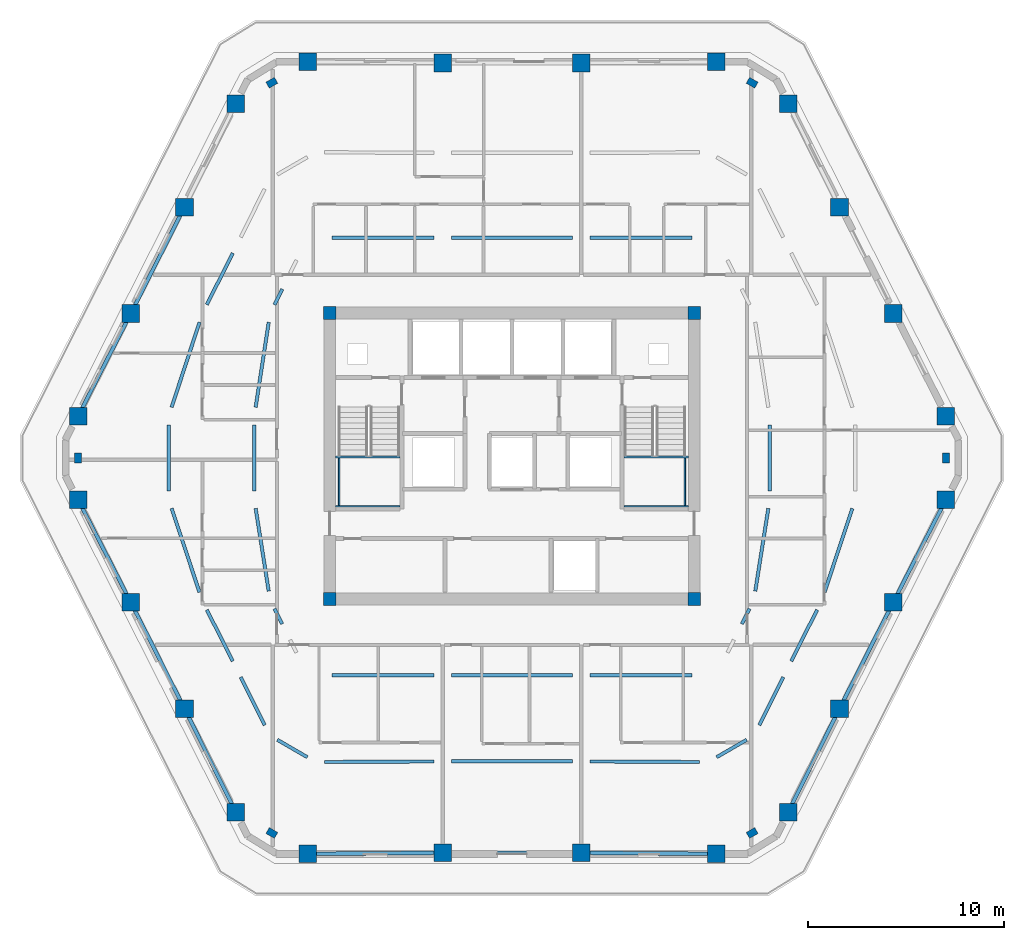
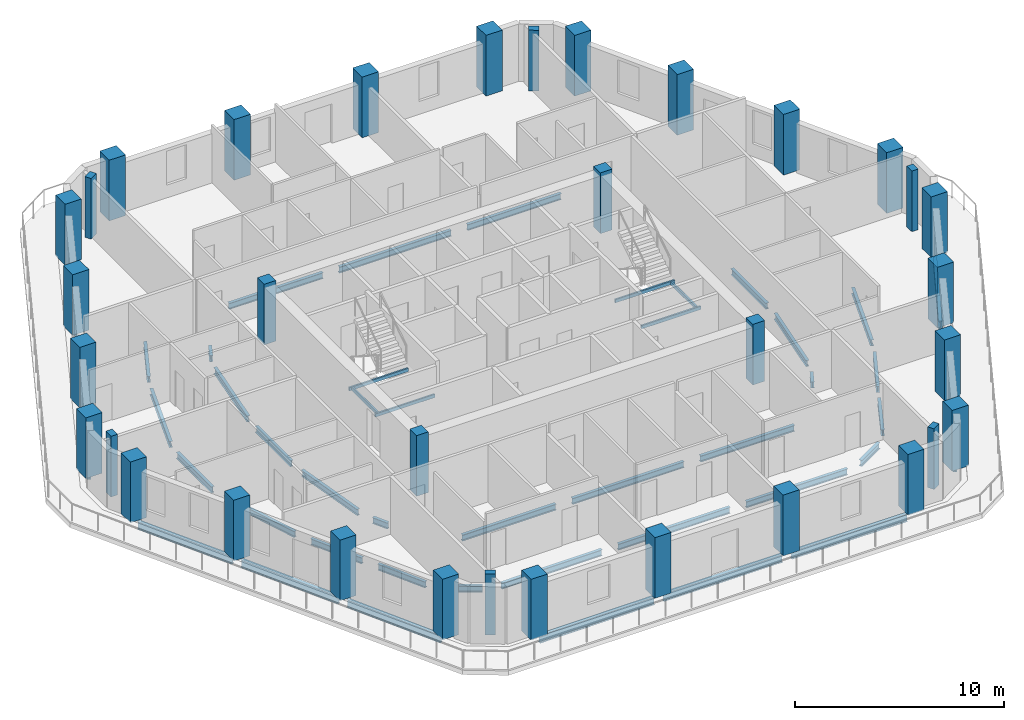
# One storey, part 1 of 10: 45 beams, 34 columns.
"""IFC4 building model written with IfcOpenShell, lengths in metres."""

from ifc_helpers import new_model, si_unit, direction, frame, origin, origin_2d, place, context, subcontext, project, spatial, rectangle, hollow_rectangle, i_section, extrude, material, material_profile, profile_set, type_object, element, save


model = new_model("IFC4")

# Units and contexts
model_context = context("Model", 3, precision=1e-05, world=origin(), true_north=direction((0.0, 1.0)))
body_context = subcontext(model_context, "Body", "Model", "MODEL_VIEW")
ifc_project = project(units=[si_unit("LENGTHUNIT", "METRE"), si_unit("AREAUNIT", "SQUARE_METRE"), si_unit("VOLUMEUNIT", "CUBIC_METRE"), si_unit("PLANEANGLEUNIT", "RADIAN"), si_unit("MASSUNIT", "GRAM", prefix="KILO")], contexts=[model_context])

# Site, building, storey
site_placement = place(None, origin())
site = spatial("IfcSite", under=ifc_project, at=site_placement, CompositionType="ELEMENT")
building_placement = place(site_placement, origin())
building = spatial("IfcBuilding", under=site, at=building_placement, Name="Cinnabar Lancet Tower", CompositionType="ELEMENT")
storey_placement = place(building_placement, frame((0.0, 0.0, 171.89990234375)))
storey = spatial("IfcBuildingStorey", under=building, at=storey_placement, Name="L45", CompositionType="ELEMENT", Elevation=171.89990234375)

# Columns
ifc_material_1 = material(Name="Concrete C60/75", Category="concrete")
ifc_material_profile_1 = material_profile(ifc_material_1, rectangle(XDim=0.64990234375, YDim=0.64990234375, at=origin_2d()), Name="RC-COL 650x650")
ifc_profile_set_1 = profile_set([ifc_material_profile_1], Name="Concrete C60/75")
column_type_1 = type_object("IfcColumnType", Name="STR-COL-CORE-650", PredefinedType="COLUMN", material=ifc_profile_set_1)
for number, where, z_axis, x_axis, name in (
    (1, (23.10009765625, 18.60009765625, 0.0), (0.0, 0.0, 1.0), (1.0, 0.0, 0.0), "L45 Core Corner Column SW"),
    (2, (41.699951171875, 18.60009765625, 0.0), (0.0, 0.0, 1.0), (1.0, 0.0, 0.0), "L45 Core Corner Column SE"),
    (3, (41.699951171875, 33.199951171875, 0.0), (0.0, 0.0, 1.0), (1.0, 0.0, 0.0), "L45 Core Corner Column NE"),
    (4, (23.10009765625, 33.199951171875, 0.0), (0.0, 0.0, 1.0), (1.0, 0.0, 0.0), "L45 Core Corner Column NW"),
):
    element("IfcColumn", number, at=place(storey_placement, frame(where, z_axis=z_axis, x_axis=x_axis)), inside=storey, type_object=column_type_1, Name=name, PredefinedType="COLUMN", context=body_context, shape_type="SweptSolid", body=[
        extrude(rectangle(XDim=0.64990234375, YDim=0.64990234375, at=origin_2d()), origin(), (0.0, 0.0, 1.0), 3.550048828125),
    ])
ifc_material_2 = material(Name="Concrete C60/75", Category="concrete")
ifc_material_profile_2 = material_profile(ifc_material_2, rectangle(XDim=0.5, YDim=0.35009765625, at=origin_2d()), Name="RC-PIL 500x350")
ifc_profile_set_2 = profile_set([ifc_material_profile_2], Name="Concrete C60/75")
column_type_2 = type_object("IfcColumnType", Name="STR-COL-PIL-500", PredefinedType="PILASTER", material=ifc_profile_set_2)
for number, where, z_axis, x_axis, name in (
    (5, (20.14208984375, 6.654052734375, 0.0), (0.0, 0.0, 1.0), (0.865230187018, -0.501374833306, 0.0), "L45 Chamfered Corner Pilaster 1"),
    (6, (44.657958984375, 6.654052734375, 0.0), (0.0, 0.0, 1.0), (0.865230187018, 0.501374833306, 0.0), "L45 Chamfered Corner Pilaster 2"),
    (7, (54.547119140625, 25.800048828125, 0.0), (0.0, 0.0, 1.0), (0.0, 1.0, 0.0), "L45 Chamfered Corner Pilaster 3"),
    (8, (44.657958984375, 44.947021484375, 0.0), (0.0, 0.0, 1.0), (-0.865230187018, 0.501374833306, 0.0), "L45 Chamfered Corner Pilaster 4"),
    (9, (20.14208984375, 44.947021484375, 0.0), (0.0, 0.0, 1.0), (-0.865230187018, -0.501374833306, 0.0), "L45 Chamfered Corner Pilaster 5"),
    (10, (10.2529296875, 25.800048828125, 0.0), (0.0, 0.0, 1.0), (0.0, -1.0, 0.0), "L45 Chamfered Corner Pilaster 6"),
):
    element("IfcColumn", number, at=place(storey_placement, frame(where, z_axis=z_axis, x_axis=x_axis)), inside=storey, type_object=column_type_2, Name=name, PredefinedType="PILASTER", context=body_context, shape_type="SweptSolid", body=[
        extrude(rectangle(XDim=0.5, YDim=0.35009765625, at=origin_2d()), origin(), (0.0, 0.0, 1.0), 3.550048828125),
    ])
ifc_material_3 = material(Name="Concrete C60/75", Category="concrete")
ifc_material_profile_3 = material_profile(ifc_material_3, rectangle(XDim=0.89990234375, YDim=0.89990234375, at=origin_2d()), Name="RC-COL 900x900")
ifc_profile_set_3 = profile_set([ifc_material_profile_3], Name="Concrete C60/75")
column_type_3 = type_object("IfcColumnType", Name="STR-COL-TUBE-900", PredefinedType="COLUMN", material=ifc_profile_set_3)
for number, where, z_axis, x_axis, name in (
    (11, (21.97900390625, 5.589111328125, 0.0), (0.0, 0.0, 1.0), (1.0, 0.0, 0.0), "L45 Perimeter Tube Column 1"),
    (12, (28.85693359375, 5.64208984375, 0.0), (0.0, 0.0, 1.0), (1.0, 0.0, 0.0), "L45 Perimeter Tube Column 2"),
    (13, (35.943115234375, 5.64208984375, 0.0), (0.0, 0.0, 1.0), (1.0, 0.0, 0.0), "L45 Perimeter Tube Column 3"),
    (14, (42.821044921875, 5.589111328125, 0.0), (0.0, 0.0, 1.0), (1.0, 0.0, 0.0), "L45 Perimeter Tube Column 4"),
    (15, (46.4951171875, 7.718017578125, 0.0), (0.0, 0.0, 1.0), (1.0, 0.0, 0.0), "L45 Perimeter Tube Column 5"),
    (16, (49.118896484375, 13.0009765625, 0.0), (0.0, 0.0, 1.0), (1.0, 0.0, 0.0), "L45 Perimeter Tube Column 6"),
    (17, (51.85791015625, 18.428955078125, 0.0), (0.0, 0.0, 1.0), (1.0, 0.0, 0.0), "L45 Perimeter Tube Column 7"),
    (18, (54.547119140625, 23.66796875, 0.0), (0.0, 0.0, 1.0), (1.0, 0.0, 0.0), "L45 Perimeter Tube Column 8"),
    (19, (54.547119140625, 27.931884765625, 0.0), (0.0, 0.0, 1.0), (1.0, 0.0, 0.0), "L45 Perimeter Tube Column 9"),
    (20, (51.85791015625, 33.1708984375, 0.0), (0.0, 0.0, 1.0), (1.0, 0.0, 0.0), "L45 Perimeter Tube Column 10"),
    (21, (49.118896484375, 38.59912109375, 0.0), (0.0, 0.0, 1.0), (1.0, 0.0, 0.0), "L45 Perimeter Tube Column 11"),
    (22, (46.4951171875, 43.882080078125, 0.0), (0.0, 0.0, 1.0), (1.0, 0.0, 0.0), "L45 Perimeter Tube Column 12"),
    (23, (42.821044921875, 46.010986328125, 0.0), (0.0, 0.0, 1.0), (1.0, 0.0, 0.0), "L45 Perimeter Tube Column 13"),
    (24, (35.943115234375, 45.9580078125, 0.0), (0.0, 0.0, 1.0), (1.0, 0.0, 0.0), "L45 Perimeter Tube Column 14"),
    (25, (28.85693359375, 45.9580078125, 0.0), (0.0, 0.0, 1.0), (1.0, 0.0, 0.0), "L45 Perimeter Tube Column 15"),
    (26, (21.97900390625, 46.010986328125, 0.0), (0.0, 0.0, 1.0), (1.0, 0.0, 0.0), "L45 Perimeter Tube Column 16"),
    (27, (18.304931640625, 43.882080078125, 0.0), (0.0, 0.0, 1.0), (1.0, 0.0, 0.0), "L45 Perimeter Tube Column 17"),
    (28, (15.680908203125, 38.59912109375, 0.0), (0.0, 0.0, 1.0), (1.0, 0.0, 0.0), "L45 Perimeter Tube Column 18"),
    (29, (12.94189453125, 33.1708984375, 0.0), (0.0, 0.0, 1.0), (1.0, 0.0, 0.0), "L45 Perimeter Tube Column 19"),
    (30, (10.2529296875, 27.931884765625, 0.0), (0.0, 0.0, 1.0), (1.0, 0.0, 0.0), "L45 Perimeter Tube Column 20"),
    (31, (10.2529296875, 23.66796875, 0.0), (0.0, 0.0, 1.0), (1.0, 0.0, 0.0), "L45 Perimeter Tube Column 21"),
    (32, (12.94189453125, 18.428955078125, 0.0), (0.0, 0.0, 1.0), (1.0, 0.0, 0.0), "L45 Perimeter Tube Column 22"),
    (33, (15.680908203125, 13.0009765625, 0.0), (0.0, 0.0, 1.0), (1.0, 0.0, 0.0), "L45 Perimeter Tube Column 23"),
    (34, (18.304931640625, 7.718017578125, 0.0), (0.0, 0.0, 1.0), (1.0, 0.0, 0.0), "L45 Perimeter Tube Column 24"),
):
    element("IfcColumn", number, at=place(storey_placement, frame(where, z_axis=z_axis, x_axis=x_axis)), inside=storey, type_object=column_type_3, Name=name, PredefinedType="COLUMN", context=body_context, shape_type="SweptSolid", body=[
        extrude(rectangle(XDim=0.89990234375, YDim=0.89990234375, at=origin_2d()), origin(), (0.0, 0.0, 1.0), 3.550048828125),
    ])

# Beams
ifc_material_4 = material(Name="Structural steel S355", Category="steel")
ifc_material_profile_4 = material_profile(ifc_material_4, i_section(OverallWidth=0.17138671875, OverallDepth=0.35498046875, WebThickness=0.00732421875, FlangeThickness=0.011474609375, FilletRadius=0.01025390625, at=origin_2d()), Name="UKB 356x171x51")
ifc_profile_set_4 = profile_set([ifc_material_profile_4], Name="Structural steel S355")
beam_type_1 = type_object("IfcBeamType", Name="STR-BM-JST-356", PredefinedType="JOIST", material=ifc_profile_set_4)
beam_1_placement = place(storey_placement, frame((15.027099609375, 23.218017578125, -0.3779296875), z_axis=(0.315464443254, -0.948937397852, 0.0), x_axis=(0.948937397852, 0.315464443254, 0.0)))
element("IfcBeam", 35, at=beam_1_placement, inside=storey, type_object=beam_type_1, Name="L45 Secondary Floor Joist 1", PredefinedType="JOIST", context=body_context, shape_type="SweptSolid", body=[
    extrude(i_section(OverallWidth=0.17138671875, OverallDepth=0.35498046875, WebThickness=0.00732421875, FlangeThickness=0.011474609375, FilletRadius=0.01025390625, at=origin_2d()), origin(), (0.0, 0.0, 1.0), 4.51025390625),
])
beam_2_placement = place(storey_placement, frame((19.31689453125, 23.218017578125, -0.3779296875), z_axis=(0.155672036999, -0.987808795717, 0.0), x_axis=(0.987808795717, 0.155672036999, 0.0)))
element("IfcBeam", 36, at=beam_2_placement, inside=storey, type_object=beam_type_1, Name="L45 Secondary Floor Joist 2", PredefinedType="JOIST", context=body_context, shape_type="SweptSolid", body=[
    extrude(i_section(OverallWidth=0.17138671875, OverallDepth=0.35498046875, WebThickness=0.00732421875, FlangeThickness=0.011474609375, FilletRadius=0.01025390625, at=origin_2d()), origin(), (0.0, 0.0, 1.0), 4.27197265625),
])
beam_3_placement = place(storey_placement, frame((16.823974609375, 18.0439453125, -0.3779296875), z_axis=(0.450638994118, -0.892706276991, 0.0), x_axis=(0.892706276991, 0.450638994118, 0.0)))
element("IfcBeam", 37, at=beam_3_placement, inside=storey, type_object=beam_type_1, Name="L45 Secondary Floor Joist 3", PredefinedType="JOIST", context=body_context, shape_type="SweptSolid", body=[
    extrude(i_section(OverallWidth=0.17138671875, OverallDepth=0.35498046875, WebThickness=0.00732421875, FlangeThickness=0.011474609375, FilletRadius=0.01025390625, at=origin_2d()), origin(), (0.0, 0.0, 1.0), 2.93359375),
])
beam_4_placement = place(storey_placement, frame((20.278076171875, 18.10205078125, -0.3779296875), z_axis=(0.45036931447, -0.892842360433, 0.0), x_axis=(0.892842360433, 0.45036931447, 0.0)))
element("IfcBeam", 38, at=beam_4_placement, inside=storey, type_object=beam_type_1, Name="L45 Secondary Floor Joist 4", PredefinedType="JOIST", context=body_context, shape_type="SweptSolid", body=[
    extrude(i_section(OverallWidth=0.17138671875, OverallDepth=0.35498046875, WebThickness=0.00732421875, FlangeThickness=0.011474609375, FilletRadius=0.01025390625, at=origin_2d()), origin(), (0.0, 0.0, 1.0), 0.86572265625),
])
beam_5_placement = place(storey_placement, frame((18.555908203125, 14.60693359375, -0.3779296875), z_axis=(0.444745554664, -0.895656960899, 0.0), x_axis=(0.895656960899, 0.444745554664, 0.0)))
element("IfcBeam", 39, at=beam_5_placement, inside=storey, type_object=beam_type_1, Name="L45 Secondary Floor Joist 5", PredefinedType="JOIST", context=body_context, shape_type="SweptSolid", body=[
    extrude(i_section(OverallWidth=0.17138671875, OverallDepth=0.35498046875, WebThickness=0.00732421875, FlangeThickness=0.011474609375, FilletRadius=0.01025390625, at=origin_2d()), origin(), (0.0, 0.0, 1.0), 2.732177734375),
])
beam_6_placement = place(storey_placement, frame((20.423095703125, 11.408935546875, -0.3779296875), z_axis=(0.864968836056, -0.501825579909, 0.0), x_axis=(0.501825579909, 0.864968836056, 0.0)))
element("IfcBeam", 40, at=beam_6_placement, inside=storey, type_object=beam_type_1, Name="L45 Secondary Floor Joist 7", PredefinedType="JOIST", context=body_context, shape_type="SweptSolid", body=[
    extrude(i_section(OverallWidth=0.17138671875, OverallDepth=0.35498046875, WebThickness=0.00732421875, FlangeThickness=0.011474609375, FilletRadius=0.01025390625, at=origin_2d()), origin(), (0.0, 0.0, 1.0), 1.767578125),
])
beam_7_placement = place(storey_placement, frame((22.833984375, 10.27490234375, -0.3779296875), z_axis=(0.999985483126, 0.005388277672, 0.0), x_axis=(-0.005388277672, 0.999985483126, 0.0)))
element("IfcBeam", 41, at=beam_7_placement, inside=storey, type_object=beam_type_1, Name="L45 Secondary Floor Joist 8", PredefinedType="JOIST", context=body_context, shape_type="SweptSolid", body=[
    extrude(i_section(OverallWidth=0.17138671875, OverallDepth=0.35498046875, WebThickness=0.00732421875, FlangeThickness=0.011474609375, FilletRadius=0.01025390625, at=origin_2d()), origin(), (0.0, 0.0, 1.0), 5.572998046875),
])
beam_8_placement = place(storey_placement, frame((23.215087890625, 14.697998046875, -0.3779296875), z_axis=(0.999996894382, 0.002492233396, 0.0), x_axis=(-0.002492233396, 0.999996894382, 0.0)))
element("IfcBeam", 42, at=beam_8_placement, inside=storey, type_object=beam_type_1, Name="L45 Secondary Floor Joist 9", PredefinedType="JOIST", context=body_context, shape_type="SweptSolid", body=[
    extrude(i_section(OverallWidth=0.17138671875, OverallDepth=0.35498046875, WebThickness=0.00732421875, FlangeThickness=0.011474609375, FilletRadius=0.01025390625, at=origin_2d()), origin(), (0.0, 0.0, 1.0), 5.19189453125),
])
for number, where, z_axis, x_axis, name in (
    (43, (29.306884765625, 10.306884765625, -0.3779296875), (1.0, 0.0, 0.0), (0.0, 1.0, 0.0), "L45 Secondary Floor Joist 10"),
    (44, (29.306884765625, 14.712890625, -0.3779296875), (1.0, 0.0, 0.0), (0.0, 1.0, 0.0), "L45 Secondary Floor Joist 11"),
):
    element("IfcBeam", number, at=place(storey_placement, frame(where, z_axis=z_axis, x_axis=x_axis)), inside=storey, type_object=beam_type_1, Name=name, PredefinedType="JOIST", context=body_context, shape_type="SweptSolid", body=[
        extrude(i_section(OverallWidth=0.17138671875, OverallDepth=0.35498046875, WebThickness=0.00732421875, FlangeThickness=0.011474609375, FilletRadius=0.01025390625, at=origin_2d()), origin(), (0.0, 0.0, 1.0), 6.18603515625),
    ])
beam_9_placement = place(storey_placement, frame((36.39306640625, 10.304931640625, -0.3779296875), z_axis=(0.999985483126, -0.005388277672, 0.0), x_axis=(0.005388277672, 0.999985483126, 0.0)))
element("IfcBeam", 45, at=beam_9_placement, inside=storey, type_object=beam_type_1, Name="L45 Secondary Floor Joist 12", PredefinedType="JOIST", context=body_context, shape_type="SweptSolid", body=[
    extrude(i_section(OverallWidth=0.17138671875, OverallDepth=0.35498046875, WebThickness=0.00732421875, FlangeThickness=0.011474609375, FilletRadius=0.01025390625, at=origin_2d()), origin(), (0.0, 0.0, 1.0), 5.572998046875),
])
beam_10_placement = place(storey_placement, frame((36.39306640625, 14.7109375, -0.3779296875), z_axis=(0.999996894382, -0.002492233396, 0.0), x_axis=(0.002492233396, 0.999996894382, 0.0)))
element("IfcBeam", 46, at=beam_10_placement, inside=storey, type_object=beam_type_1, Name="L45 Secondary Floor Joist 13", PredefinedType="JOIST", context=body_context, shape_type="SweptSolid", body=[
    extrude(i_section(OverallWidth=0.17138671875, OverallDepth=0.35498046875, WebThickness=0.00732421875, FlangeThickness=0.011474609375, FilletRadius=0.01025390625, at=origin_2d()), origin(), (0.0, 0.0, 1.0), 5.19189453125),
])
beam_11_placement = place(storey_placement, frame((42.847900390625, 10.52197265625, -0.3779296875), z_axis=(0.865003614902, 0.501765628762, 0.0), x_axis=(-0.501765628762, 0.865003614902, 0.0)))
element("IfcBeam", 47, at=beam_11_placement, inside=storey, type_object=beam_type_1, Name="L45 Secondary Floor Joist 14", PredefinedType="JOIST", context=body_context, shape_type="SweptSolid", body=[
    extrude(i_section(OverallWidth=0.17138671875, OverallDepth=0.35498046875, WebThickness=0.00732421875, FlangeThickness=0.011474609375, FilletRadius=0.01025390625, at=origin_2d()), origin(), (0.0, 0.0, 1.0), 1.767578125),
])
beam_12_placement = place(storey_placement, frame((45.029052734375, 12.159912109375, -0.3779296875), z_axis=(0.444673865539, 0.895692555125, 0.0), x_axis=(-0.895692555125, 0.444673865539, 0.0)))
element("IfcBeam", 48, at=beam_12_placement, inside=storey, type_object=beam_type_1, Name="L45 Secondary Floor Joist 15", PredefinedType="JOIST", context=body_context, shape_type="SweptSolid", body=[
    extrude(i_section(OverallWidth=0.17138671875, OverallDepth=0.35498046875, WebThickness=0.00732421875, FlangeThickness=0.011474609375, FilletRadius=0.01025390625, at=origin_2d()), origin(), (0.0, 0.0, 1.0), 2.73193359375),
])
beam_13_placement = place(storey_placement, frame((46.654052734375, 15.425048828125, -0.3779296875), z_axis=(0.450638994118, 0.892706276991, 0.0), x_axis=(-0.892706276991, 0.450638994118, 0.0)))
element("IfcBeam", 49, at=beam_13_placement, inside=storey, type_object=beam_type_1, Name="L45 Secondary Floor Joist 17", PredefinedType="JOIST", context=body_context, shape_type="SweptSolid", body=[
    extrude(i_section(OverallWidth=0.17138671875, OverallDepth=0.35498046875, WebThickness=0.00732421875, FlangeThickness=0.011474609375, FilletRadius=0.01025390625, at=origin_2d()), origin(), (0.0, 0.0, 1.0), 2.93359375),
])
beam_14_placement = place(storey_placement, frame((44.132080078125, 17.3291015625, -0.3779296875), z_axis=(0.45036931447, 0.892842360433, 0.0), x_axis=(-0.892842360433, 0.45036931447, 0.0)))
element("IfcBeam", 50, at=beam_14_placement, inside=storey, type_object=beam_type_1, Name="L45 Secondary Floor Joist 18", PredefinedType="JOIST", context=body_context, shape_type="SweptSolid", body=[
    extrude(i_section(OverallWidth=0.17138671875, OverallDepth=0.35498046875, WebThickness=0.00732421875, FlangeThickness=0.011474609375, FilletRadius=0.01025390625, at=origin_2d()), origin(), (0.0, 0.0, 1.0), 0.86572265625),
])
beam_15_placement = place(storey_placement, frame((48.35009765625, 18.93798828125, -0.3779296875), z_axis=(0.315464443254, 0.948937397852, 0.0), x_axis=(-0.948937397852, 0.315464443254, 0.0)))
element("IfcBeam", 51, at=beam_15_placement, inside=storey, type_object=beam_type_1, Name="L45 Secondary Floor Joist 19", PredefinedType="JOIST", context=body_context, shape_type="SweptSolid", body=[
    extrude(i_section(OverallWidth=0.17138671875, OverallDepth=0.35498046875, WebThickness=0.00732421875, FlangeThickness=0.011474609375, FilletRadius=0.01025390625, at=origin_2d()), origin(), (0.0, 0.0, 1.0), 4.51025390625),
])
beam_16_placement = place(storey_placement, frame((44.818115234375, 18.998046875, -0.3779296875), z_axis=(0.155616272851, 0.98781758216, 0.0), x_axis=(-0.98781758216, 0.155616272851, 0.0)))
element("IfcBeam", 52, at=beam_16_placement, inside=storey, type_object=beam_type_1, Name="L45 Secondary Floor Joist 20", PredefinedType="JOIST", context=body_context, shape_type="SweptSolid", body=[
    extrude(i_section(OverallWidth=0.17138671875, OverallDepth=0.35498046875, WebThickness=0.00732421875, FlangeThickness=0.011474609375, FilletRadius=0.01025390625, at=origin_2d()), origin(), (0.0, 0.0, 1.0), 4.27197265625),
])
beam_17_placement = place(storey_placement, frame((45.553955078125, 24.117919921875, -0.3779296875), z_axis=(0.0, 1.0, 0.0), x_axis=(-1.0, 0.0, 0.0)))
element("IfcBeam", 53, at=beam_17_placement, inside=storey, type_object=beam_type_1, Name="L45 Secondary Floor Joist 22", PredefinedType="JOIST", context=body_context, shape_type="SweptSolid", body=[
    extrude(i_section(OverallWidth=0.17138671875, OverallDepth=0.35498046875, WebThickness=0.00732421875, FlangeThickness=0.011474609375, FilletRadius=0.01025390625, at=origin_2d()), origin(), (0.0, 0.0, 1.0), 3.364013671875),
])
beam_18_placement = place(storey_placement, frame((41.583984375, 37.0419921875, -0.3779296875), z_axis=(-0.999996893213, -0.002492702255, 0.0), x_axis=(0.002492702255, -0.999996893213, 0.0)))
element("IfcBeam", 54, at=beam_18_placement, inside=storey, type_object=beam_type_1, Name="L45 Secondary Floor Joist 31", PredefinedType="JOIST", context=body_context, shape_type="SweptSolid", body=[
    extrude(i_section(OverallWidth=0.17138671875, OverallDepth=0.35498046875, WebThickness=0.00732421875, FlangeThickness=0.011474609375, FilletRadius=0.01025390625, at=origin_2d()), origin(), (0.0, 0.0, 1.0), 5.19091796875),
])
beam_19_placement = place(storey_placement, frame((35.492919921875, 37.027099609375, -0.3779296875), z_axis=(-1.0, 0.0, 0.0), x_axis=(0.0, -1.0, 0.0)))
element("IfcBeam", 55, at=beam_19_placement, inside=storey, type_object=beam_type_1, Name="L45 Secondary Floor Joist 33", PredefinedType="JOIST", context=body_context, shape_type="SweptSolid", body=[
    extrude(i_section(OverallWidth=0.17138671875, OverallDepth=0.35498046875, WebThickness=0.00732421875, FlangeThickness=0.011474609375, FilletRadius=0.01025390625, at=origin_2d()), origin(), (0.0, 0.0, 1.0), 6.18603515625),
])
beam_20_placement = place(storey_placement, frame((28.406982421875, 37.029052734375, -0.3779296875), z_axis=(-0.999996893213, 0.002492702255, 0.0), x_axis=(-0.002492702255, -0.999996893213, 0.0)))
element("IfcBeam", 56, at=beam_20_placement, inside=storey, type_object=beam_type_1, Name="L45 Secondary Floor Joist 35", PredefinedType="JOIST", context=body_context, shape_type="SweptSolid", body=[
    extrude(i_section(OverallWidth=0.17138671875, OverallDepth=0.35498046875, WebThickness=0.00732421875, FlangeThickness=0.011474609375, FilletRadius=0.01025390625, at=origin_2d()), origin(), (0.0, 0.0, 1.0), 5.19091796875),
])
beam_21_placement = place(storey_placement, frame((18.14697265625, 36.248046875, -0.3779296875), z_axis=(-0.449536558697, -0.89326193381, 0.0), x_axis=(0.89326193381, -0.449536558697, 0.0)))
element("IfcBeam", 57, at=beam_21_placement, inside=storey, type_object=beam_type_1, Name="L45 Secondary Floor Joist 39", PredefinedType="JOIST", context=body_context, shape_type="SweptSolid", body=[
    extrude(i_section(OverallWidth=0.17138671875, OverallDepth=0.35498046875, WebThickness=0.00732421875, FlangeThickness=0.011474609375, FilletRadius=0.01025390625, at=origin_2d()), origin(), (0.0, 0.0, 1.0), 2.94091796875),
])
beam_22_placement = place(storey_placement, frame((20.6708984375, 34.410888671875, -0.3779296875), z_axis=(-0.446217420751, -0.894924585325, 0.0), x_axis=(0.894924585325, -0.446217420751, 0.0)))
element("IfcBeam", 58, at=beam_22_placement, inside=storey, type_object=beam_type_1, Name="L45 Secondary Floor Joist 40", PredefinedType="JOIST", context=body_context, shape_type="SweptSolid", body=[
    extrude(i_section(OverallWidth=0.17138671875, OverallDepth=0.35498046875, WebThickness=0.00732421875, FlangeThickness=0.011474609375, FilletRadius=0.01025390625, at=origin_2d()), origin(), (0.0, 0.0, 1.0), 0.882568359375),
])
beam_23_placement = place(storey_placement, frame((16.450927734375, 32.720947265625, -0.3779296875), z_axis=(-0.312038865826, -0.950069337582, 0.0), x_axis=(0.950069337582, -0.312038865826, 0.0)))
element("IfcBeam", 59, at=beam_23_placement, inside=storey, type_object=beam_type_1, Name="L45 Secondary Floor Joist 41", PredefinedType="JOIST", context=body_context, shape_type="SweptSolid", body=[
    extrude(i_section(OverallWidth=0.17138671875, OverallDepth=0.35498046875, WebThickness=0.00732421875, FlangeThickness=0.011474609375, FilletRadius=0.01025390625, at=origin_2d()), origin(), (0.0, 0.0, 1.0), 4.56689453125),
])
beam_24_placement = place(storey_placement, frame((19.98291015625, 32.720947265625, -0.3779296875), z_axis=(-0.152157479954, -0.988356262334, 0.0), x_axis=(0.988356262334, -0.152157479954, 0.0)))
element("IfcBeam", 60, at=beam_24_placement, inside=storey, type_object=beam_type_1, Name="L45 Secondary Floor Joist 42", PredefinedType="JOIST", context=body_context, shape_type="SweptSolid", body=[
    extrude(i_section(OverallWidth=0.17138671875, OverallDepth=0.35498046875, WebThickness=0.00732421875, FlangeThickness=0.011474609375, FilletRadius=0.01025390625, at=origin_2d()), origin(), (0.0, 0.0, 1.0), 4.389892578125),
])
for number, where, z_axis, x_axis, name in (
    (61, (14.8779296875, 27.48193359375, -0.3779296875), (0.0, -1.0, 0.0), (1.0, 0.0, 0.0), "L45 Secondary Floor Joist 43"),
    (62, (19.24609375, 27.48193359375, -0.3779296875), (0.0, -1.0, 0.0), (1.0, 0.0, 0.0), "L45 Secondary Floor Joist 44"),
):
    element("IfcBeam", number, at=place(storey_placement, frame(where, z_axis=z_axis, x_axis=x_axis)), inside=storey, type_object=beam_type_1, Name=name, PredefinedType="JOIST", context=body_context, shape_type="SweptSolid", body=[
        extrude(i_section(OverallWidth=0.17138671875, OverallDepth=0.35498046875, WebThickness=0.00732421875, FlangeThickness=0.011474609375, FilletRadius=0.01025390625, at=origin_2d()), origin(), (0.0, 0.0, 1.0), 3.364013671875),
    ])
ifc_material_5 = material(Name="Structural steel S355", Category="steel")
ifc_material_profile_5 = material_profile(ifc_material_5, hollow_rectangle(XDim=0.10009765625, YDim=0.199951171875, WallThickness=0.008056640625, InnerFilletRadius=0.00390625, OuterFilletRadius=0.011962890625, at=origin_2d()), Name="RHS 200x100x8")
ifc_profile_set_5 = profile_set([ifc_material_profile_5], Name="Structural steel S355")
beam_type_2 = type_object("IfcBeamType", Name="STR-BM-LND-203", PredefinedType="BEAM", material=ifc_profile_set_5)
for number, where, z_axis, x_axis, name in (
    (63, (23.39990234375, 23.330078125, 1.47509765625), (1.0, 0.0, 0.0), (0.0, 1.0, 0.0), "L45 ST-1-L45 Landing Support Beam S"),
    (64, (23.39990234375, 25.844970703125, 1.47509765625), (1.0, 0.0, 0.0), (0.0, 1.0, 0.0), "L45 ST-1-L45 Landing Support Beam N"),
):
    element("IfcBeam", number, at=place(storey_placement, frame(where, z_axis=z_axis, x_axis=x_axis)), inside=storey, type_object=beam_type_2, Name=name, PredefinedType="BEAM", context=body_context, shape_type="SweptSolid", body=[
        extrude(hollow_rectangle(XDim=0.10009765625, YDim=0.199951171875, WallThickness=0.008056640625, InnerFilletRadius=0.00390625, OuterFilletRadius=0.011962890625, at=origin_2d()), origin(), (0.0, 0.0, 1.0), 3.280029296875),
    ])
beam_25_placement = place(storey_placement, frame((23.580078125, 23.3798828125, 1.47509765625), z_axis=(0.0, 1.0, 0.0), x_axis=(-1.0, 0.0, 0.0)))
element("IfcBeam", 65, at=beam_25_placement, inside=storey, type_object=beam_type_2, Name="L45 ST-1-L45 Landing Side Trimmer Beam", PredefinedType="BEAM", context=body_context, shape_type="SweptSolid", body=[
    extrude(hollow_rectangle(XDim=0.10009765625, YDim=0.199951171875, WallThickness=0.008056640625, InnerFilletRadius=0.00390625, OuterFilletRadius=0.011962890625, at=origin_2d()), origin(), (0.0, 0.0, 1.0), 2.4150390625),
])
for number, where, z_axis, x_axis, name in (
    (66, (38.1201171875, 23.330078125, 1.47509765625), (1.0, 0.0, 0.0), (0.0, 1.0, 0.0), "L45 ST-2-L45 Landing Support Beam S"),
    (67, (38.1201171875, 25.844970703125, 1.47509765625), (1.0, 0.0, 0.0), (0.0, 1.0, 0.0), "L45 ST-2-L45 Landing Support Beam N"),
):
    element("IfcBeam", number, at=place(storey_placement, frame(where, z_axis=z_axis, x_axis=x_axis)), inside=storey, type_object=beam_type_2, Name=name, PredefinedType="BEAM", context=body_context, shape_type="SweptSolid", body=[
        extrude(hollow_rectangle(XDim=0.10009765625, YDim=0.199951171875, WallThickness=0.008056640625, InnerFilletRadius=0.00390625, OuterFilletRadius=0.011962890625, at=origin_2d()), origin(), (0.0, 0.0, 1.0), 3.27978515625),
    ])
beam_26_placement = place(storey_placement, frame((41.219970703125, 23.3798828125, 1.47509765625), z_axis=(0.0, 1.0, 0.0), x_axis=(-1.0, 0.0, 0.0)))
element("IfcBeam", 68, at=beam_26_placement, inside=storey, type_object=beam_type_2, Name="L45 ST-2-L45 Landing Side Trimmer Beam", PredefinedType="BEAM", context=body_context, shape_type="SweptSolid", body=[
    extrude(hollow_rectangle(XDim=0.10009765625, YDim=0.199951171875, WallThickness=0.008056640625, InnerFilletRadius=0.00390625, OuterFilletRadius=0.011962890625, at=origin_2d()), origin(), (0.0, 0.0, 1.0), 2.4150390625),
])
ifc_material_6 = material(Name="Structural steel S355", Category="steel")
ifc_material_profile_6 = material_profile(ifc_material_6, i_section(OverallWidth=0.1904296875, OverallDepth=0.45703125, WebThickness=0.009033203125, FlangeThickness=0.014404296875, FilletRadius=0.01025390625, at=origin_2d()), Name="UKB 457x191x74")
ifc_profile_set_6 = profile_set([ifc_material_profile_6], Name="Structural steel S355")
beam_type_3 = type_object("IfcBeamType", Name="STR-BM-SPN-457", PredefinedType="SPANDREL", material=ifc_profile_set_6)
beam_27_placement = place(storey_placement, frame((22.22900390625, 5.591064453125, -0.428955078125), z_axis=(0.999970695686, 0.007655571089, 0.0), x_axis=(-0.007655571089, 0.999970695686, 0.0)))
element("IfcBeam", 69, at=beam_27_placement, inside=storey, type_object=beam_type_3, Name="L45 Perimeter Spandrel 1", PredefinedType="SPANDREL", context=body_context, shape_type="SweptSolid", body=[
    extrude(i_section(OverallWidth=0.1904296875, OverallDepth=0.45703125, WebThickness=0.009033203125, FlangeThickness=0.014404296875, FilletRadius=0.01025390625, at=origin_2d()), origin(), (0.0, 0.0, 1.0), 6.378173828125),
])
beam_28_placement = place(storey_placement, frame((29.10693359375, 5.64208984375, -0.428955078125), z_axis=(1.0, 0.0, 0.0), x_axis=(0.0, 1.0, 0.0)))
element("IfcBeam", 70, at=beam_28_placement, inside=storey, type_object=beam_type_3, Name="L45 Perimeter Spandrel 2", PredefinedType="SPANDREL", context=body_context, shape_type="SweptSolid", body=[
    extrude(i_section(OverallWidth=0.1904296875, OverallDepth=0.45703125, WebThickness=0.009033203125, FlangeThickness=0.014404296875, FilletRadius=0.01025390625, at=origin_2d()), origin(), (0.0, 0.0, 1.0), 6.586181640625),
])
beam_29_placement = place(storey_placement, frame((36.193115234375, 5.639892578125, -0.428955078125), z_axis=(0.999970695686, -0.007655571089, 0.0), x_axis=(0.007655571089, 0.999970695686, 0.0)))
element("IfcBeam", 71, at=beam_29_placement, inside=storey, type_object=beam_type_3, Name="L45 Perimeter Spandrel 3", PredefinedType="SPANDREL", context=body_context, shape_type="SweptSolid", body=[
    extrude(i_section(OverallWidth=0.1904296875, OverallDepth=0.45703125, WebThickness=0.009033203125, FlangeThickness=0.014404296875, FilletRadius=0.01025390625, at=origin_2d()), origin(), (0.0, 0.0, 1.0), 6.378173828125),
])
beam_30_placement = place(storey_placement, frame((46.60595703125, 7.94189453125, -0.428955078125), z_axis=(0.444914968367, 0.895572817208, 0.0), x_axis=(-0.895572817208, 0.444914968367, 0.0)))
element("IfcBeam", 72, at=beam_30_placement, inside=storey, type_object=beam_type_3, Name="L45 Perimeter Spandrel 5", PredefinedType="SPANDREL", context=body_context, shape_type="SweptSolid", body=[
    extrude(i_section(OverallWidth=0.1904296875, OverallDepth=0.45703125, WebThickness=0.009033203125, FlangeThickness=0.014404296875, FilletRadius=0.01025390625, at=origin_2d()), origin(), (0.0, 0.0, 1.0), 5.39892578125),
])
beam_31_placement = place(storey_placement, frame((49.23193359375, 13.22412109375, -0.428955078125), z_axis=(0.450395996562, 0.892828900899, 0.0), x_axis=(-0.892828900899, 0.450395996562, 0.0)))
element("IfcBeam", 73, at=beam_31_placement, inside=storey, type_object=beam_type_3, Name="L45 Perimeter Spandrel 6", PredefinedType="SPANDREL", context=body_context, shape_type="SweptSolid", body=[
    extrude(i_section(OverallWidth=0.1904296875, OverallDepth=0.45703125, WebThickness=0.009033203125, FlangeThickness=0.014404296875, FilletRadius=0.01025390625, at=origin_2d()), origin(), (0.0, 0.0, 1.0), 5.579833984375),
])
beam_32_placement = place(storey_placement, frame((51.971923828125, 18.65087890625, -0.428955078125), z_axis=(0.456628362232, 0.889657540184, 0.0), x_axis=(-0.889657540184, 0.456628362232, 0.0)))
element("IfcBeam", 74, at=beam_32_placement, inside=storey, type_object=beam_type_3, Name="L45 Perimeter Spandrel 7", PredefinedType="SPANDREL", context=body_context, shape_type="SweptSolid", body=[
    extrude(i_section(OverallWidth=0.1904296875, OverallDepth=0.45703125, WebThickness=0.009033203125, FlangeThickness=0.014404296875, FilletRadius=0.01025390625, at=origin_2d()), origin(), (0.0, 0.0, 1.0), 5.389892578125),
])
beam_33_placement = place(storey_placement, frame((15.568115234375, 38.3759765625, -0.428955078125), z_axis=(-0.450395996562, -0.892828900899, 0.0), x_axis=(0.892828900899, -0.450395996562, 0.0)))
element("IfcBeam", 75, at=beam_33_placement, inside=storey, type_object=beam_type_3, Name="L45 Perimeter Spandrel 18", PredefinedType="SPANDREL", context=body_context, shape_type="SweptSolid", body=[
    extrude(i_section(OverallWidth=0.1904296875, OverallDepth=0.45703125, WebThickness=0.009033203125, FlangeThickness=0.014404296875, FilletRadius=0.01025390625, at=origin_2d()), origin(), (0.0, 0.0, 1.0), 5.579833984375),
])
beam_34_placement = place(storey_placement, frame((12.827880859375, 32.948974609375, -0.428955078125), z_axis=(-0.456610910924, -0.889666497079, 0.0), x_axis=(0.889666497079, -0.456610910924, 0.0)))
element("IfcBeam", 76, at=beam_34_placement, inside=storey, type_object=beam_type_3, Name="L45 Perimeter Spandrel 19", PredefinedType="SPANDREL", context=body_context, shape_type="SweptSolid", body=[
    extrude(i_section(OverallWidth=0.1904296875, OverallDepth=0.45703125, WebThickness=0.009033203125, FlangeThickness=0.014404296875, FilletRadius=0.01025390625, at=origin_2d()), origin(), (0.0, 0.0, 1.0), 5.3896484375),
])
beam_35_placement = place(storey_placement, frame((10.366943359375, 23.446044921875, -0.428955078125), z_axis=(0.456592509812, -0.889675940994, 0.0), x_axis=(0.889675940994, 0.456592509812, 0.0)))
element("IfcBeam", 77, at=beam_35_placement, inside=storey, type_object=beam_type_3, Name="L45 Perimeter Spandrel 21", PredefinedType="SPANDREL", context=body_context, shape_type="SweptSolid", body=[
    extrude(i_section(OverallWidth=0.1904296875, OverallDepth=0.45703125, WebThickness=0.009033203125, FlangeThickness=0.014404296875, FilletRadius=0.01025390625, at=origin_2d()), origin(), (0.0, 0.0, 1.0), 5.389892578125),
])
beam_36_placement = place(storey_placement, frame((13.054931640625, 18.2060546875, -0.428955078125), z_axis=(0.450395996562, -0.892828900899, 0.0), x_axis=(0.892828900899, 0.450395996562, 0.0)))
element("IfcBeam", 78, at=beam_36_placement, inside=storey, type_object=beam_type_3, Name="L45 Perimeter Spandrel 22", PredefinedType="SPANDREL", context=body_context, shape_type="SweptSolid", body=[
    extrude(i_section(OverallWidth=0.1904296875, OverallDepth=0.45703125, WebThickness=0.009033203125, FlangeThickness=0.014404296875, FilletRadius=0.01025390625, at=origin_2d()), origin(), (0.0, 0.0, 1.0), 5.579833984375),
])
beam_37_placement = place(storey_placement, frame((15.7919921875, 12.777099609375, -0.428955078125), z_axis=(0.444914968367, -0.895572817208, 0.0), x_axis=(0.895572817208, 0.444914968367, 0.0)))
element("IfcBeam", 79, at=beam_37_placement, inside=storey, type_object=beam_type_3, Name="L45 Perimeter Spandrel 23", PredefinedType="SPANDREL", context=body_context, shape_type="SweptSolid", body=[
    extrude(i_section(OverallWidth=0.1904296875, OverallDepth=0.45703125, WebThickness=0.009033203125, FlangeThickness=0.014404296875, FilletRadius=0.01025390625, at=origin_2d()), origin(), (0.0, 0.0, 1.0), 5.39892578125),
])

save(model, "model.ifc")
